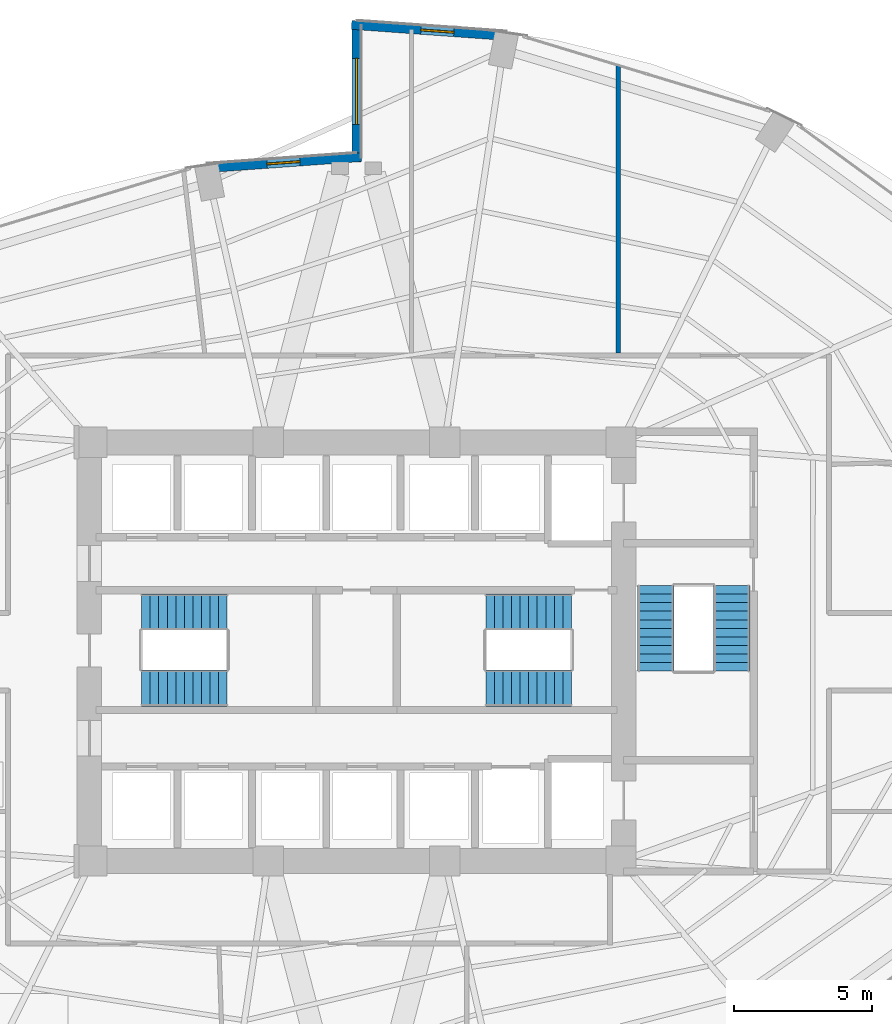
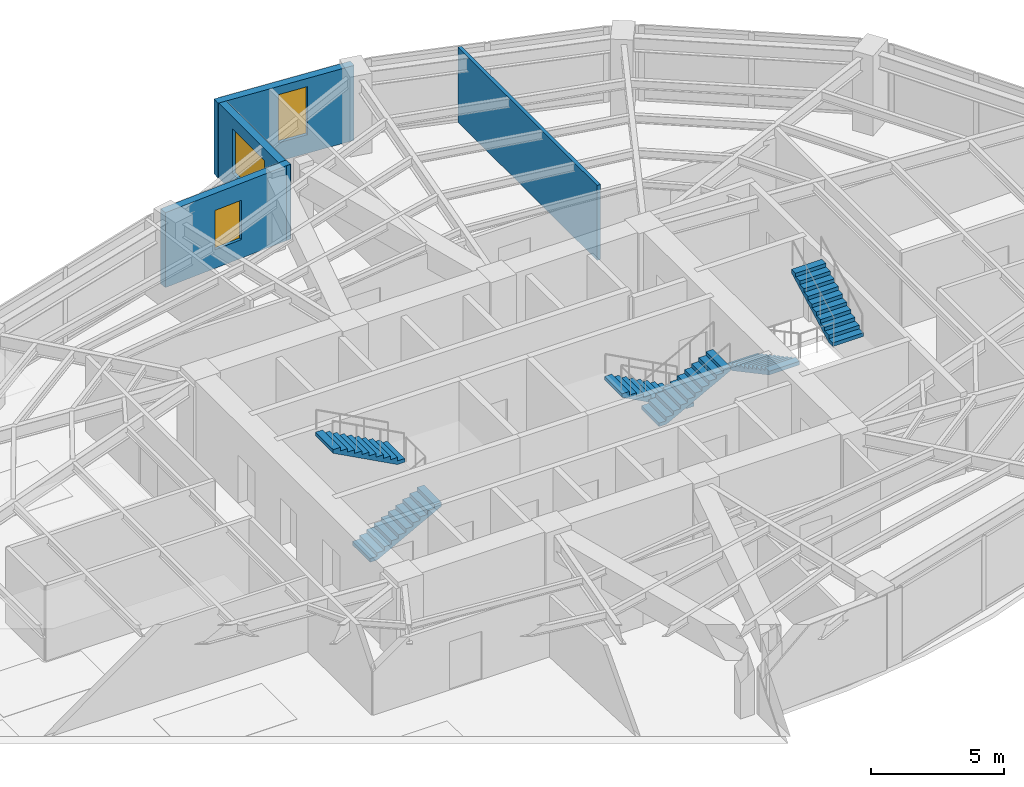
# One storey, part 22 of 24: 6 stair flights, 4 walls, 3 windows, 3 openings, 3 elements without a shape of their own.
"""IFC4 building model written with IfcOpenShell, lengths in metres."""

from ifc_helpers import new_model, si_unit, direction, frame, frame_2d, origin, place, context, subcontext, project, spatial, polyline, rectangle, outline, extrude, material, layer, layer_set, type_object, element, fill, aggregate, save


model = new_model("IFC4")

# Units and contexts
model_context = context("Model", 3, precision=1e-05, world=origin(), true_north=direction((0.0, 1.0)))
body_context = subcontext(model_context, "Body", "Model", "MODEL_VIEW")
ifc_project = project(units=[si_unit("LENGTHUNIT", "METRE"), si_unit("AREAUNIT", "SQUARE_METRE"), si_unit("VOLUMEUNIT", "CUBIC_METRE"), si_unit("PLANEANGLEUNIT", "RADIAN"), si_unit("MASSUNIT", "GRAM", prefix="KILO")], contexts=[model_context])

# Site, building, storey
site_placement = place(None, origin())
site = spatial("IfcSite", under=ifc_project, at=site_placement, CompositionType="ELEMENT")
building_placement = place(site_placement, origin())
building = spatial("IfcBuilding", under=site, at=building_placement, Name="Lazwardi Medical Tower", CompositionType="ELEMENT")
storey_placement = place(building_placement, frame((0.0, 0.0, 68.97607421875)))
storey = spatial("IfcBuildingStorey", under=building, at=storey_placement, Name="L17", CompositionType="ELEMENT", Elevation=68.97607421875)

# Wall, opening, window
ifc_material_1 = material(Name="Precast concrete C45/55", Category="concrete")
ifc_layer_1 = layer(ifc_material_1, 0.320068359375)
ifc_layer_set_1 = layer_set([ifc_layer_1], Name="Precast concrete C45/55")
wall_type_1 = type_object("IfcWallType", Name="WL-IWAN-320", PredefinedType="SOLIDWALL", material=ifc_layer_set_1)
wall_1_placement = place(storey_placement, frame((41.481201171875, 50.345703125, 0.0), z_axis=(0.0, 0.0, 1.0), x_axis=(-0.997422321809, 0.071754525696, 0.0)))
wall_1 = element("IfcWall", 1, at=wall_1_placement, inside=storey, type_object=wall_type_1, Name="L17 Iwan Portal Return Wall NE_ret", PredefinedType="SOLIDWALL", context=body_context, shape_type="SweptSolid", body=[
    extrude(rectangle(XDim=5.67529296875, YDim=0.320068359375, at=frame_2d((2.837646484375, 0.0))), origin(), (0.0, 0.0, 1.0), 3.427978515625),
])
opening_1_placement = place(wall_1_placement, frame((1.94921875, 0.0, 0.85009765625)))
opening_1 = element("IfcOpeningElement", 2, at=opening_1_placement, cuts=wall_1, Name="Opening WN-01", PredefinedType="OPENING", context=body_context, shape_type="SweptSolid", body=[
    extrude(rectangle(XDim=1.199951171875, YDim=2.199951171875, at=frame_2d((0.60009765625, 1.10009765625))), frame((0.0, 0.169921875, 0.0), z_axis=(0.0, -1.0, 0.0), x_axis=(1.0, 0.0, 0.0)), (0.0, 0.0, 1.0), 0.340087890625),
])
ifc_material_2 = material(Name="Low-e bronze solar control double glazing", Category="glass")
window_type_1 = type_object("IfcWindowType", Name="WIN-IW-1200", PartitioningType="SINGLE_PANEL", PredefinedType="WINDOW", material=ifc_material_2)
window_1_placement = place(opening_1_placement, origin())
window_1 = element("IfcWindow", 3, at=window_1_placement, inside=storey, type_object=window_type_1, Name="L17 Iwan Slot Window NE_ret", OverallHeight=2.199951171875, OverallWidth=1.199951171875, PartitioningType="SINGLE_PANEL", PredefinedType="WINDOW", context=body_context, shape_type="SweptSolid", body=[
    extrude(rectangle(XDim=1.199951171875, YDim=2.199951171875, at=frame_2d((0.60009765625, 1.10009765625))), frame((0.0, 0.030029296875, 0.0), z_axis=(0.0, -1.0, 0.0), x_axis=(1.0, 0.0, 0.0)), (0.0, 0.0, 1.0), 0.06005859375),
])
fill(opening_1, window_1)

wall_2_placement = place(storey_placement, frame((36.178955078125, 45.952880859375, 0.0), z_axis=(0.0, 0.0, 1.0), x_axis=(-0.997421878774, -0.071760683825, 0.0)))
wall_2 = element("IfcWall", 4, at=wall_2_placement, inside=storey, type_object=wall_type_1, Name="L17 Iwan Portal Return Wall NW_ret", PredefinedType="SOLIDWALL", context=body_context, shape_type="SweptSolid", body=[
    extrude(rectangle(XDim=5.6748046875, YDim=0.320068359375, at=frame_2d((2.83740234375, 0.0))), origin(), (0.0, 0.0, 1.0), 3.427978515625),
])
opening_2_placement = place(wall_2_placement, frame((2.2373046875, 0.0, 0.85009765625)))
opening_2 = element("IfcOpeningElement", 5, at=opening_2_placement, cuts=wall_2, Name="Opening WN-04", PredefinedType="OPENING", context=body_context, shape_type="SweptSolid", body=[
    extrude(rectangle(XDim=1.199951171875, YDim=1.800048828125, at=frame_2d((0.60009765625, 0.89990234375))), frame((0.0, 0.169921875, 0.0), z_axis=(0.0, -1.0, 0.0), x_axis=(1.0, 0.0, 0.0)), (0.0, 0.0, 1.0), 0.340087890625),
])
window_type_2 = type_object("IfcWindowType", Name="WIN-DRUM-1200", PartitioningType="SINGLE_PANEL", PredefinedType="WINDOW", material=ifc_material_2)
window_2_placement = place(opening_2_placement, origin())
window_2 = element("IfcWindow", 6, at=window_2_placement, inside=storey, type_object=window_type_2, Name="L17 Iwan Slot Window NW_ret", OverallHeight=1.800048828125, OverallWidth=1.199951171875, PartitioningType="SINGLE_PANEL", PredefinedType="WINDOW", context=body_context, shape_type="SweptSolid", body=[
    extrude(rectangle(XDim=1.199951171875, YDim=1.800048828125, at=frame_2d((0.60009765625, 0.89990234375))), frame((0.0, 0.030029296875, 0.0), z_axis=(0.0, -1.0, 0.0), x_axis=(1.0, 0.0, 0.0)), (0.0, 0.0, 1.0), 0.06005859375),
])
fill(opening_2, window_2)

wall_3_placement = place(storey_placement, frame((36.0, 50.89990234375, 0.0), z_axis=(0.0, 0.0, 1.0), x_axis=(0.0, -1.0, 0.0)))
wall_3 = element("IfcWall", 7, at=wall_3_placement, inside=storey, type_object=wall_type_1, Name="L17 Turquoise Tilework Iwan Seam Wall N_seam", PredefinedType="SOLIDWALL", context=body_context, shape_type="SweptSolid", body=[
    extrude(rectangle(XDim=5.119873046875, YDim=0.320068359375, at=frame_2d((2.56005859375, 0.0))), origin(), (0.0, 0.0, 1.0), 3.427978515625),
])
opening_3_placement = place(wall_3_placement, frame((1.360107421875, 0.0, 0.840087890625)))
opening_3 = element("IfcOpeningElement", 8, at=opening_3_placement, cuts=wall_3, Name="Opening WN-02", PredefinedType="OPENING", context=body_context, shape_type="SweptSolid", body=[
    extrude(rectangle(XDim=2.39990234375, YDim=2.0400390625, at=frame_2d((1.199951171875, 1.02001953125))), frame((0.0, 0.169921875, 0.0), z_axis=(0.0, -1.0, 0.0), x_axis=(1.0, 0.0, 0.0)), (0.0, 0.0, 1.0), 0.340087890625),
])
window_type_3 = type_object("IfcWindowType", Name="WIN-IW-2400", PartitioningType="SINGLE_PANEL", PredefinedType="WINDOW", material=ifc_material_2)
window_3_placement = place(opening_3_placement, origin())
window_3 = element("IfcWindow", 9, at=window_3_placement, inside=storey, type_object=window_type_3, Name="L17 Iwan Seam Window N_seam", OverallHeight=2.0400390625, OverallWidth=2.39990234375, PartitioningType="SINGLE_PANEL", PredefinedType="WINDOW", context=body_context, shape_type="SweptSolid", body=[
    extrude(rectangle(XDim=2.39990234375, YDim=2.0400390625, at=frame_2d((1.199951171875, 1.02001953125))), frame((0.0, 0.030029296875, 0.0), z_axis=(0.0, -1.0, 0.0), x_axis=(1.0, 0.0, 0.0)), (0.0, 0.0, 1.0), 0.06005859375),
])
fill(opening_3, window_3)

# Wall
ifc_material_3 = material(Name="Acoustic gypsum board partition")
ifc_layer_2 = layer(ifc_material_3, 0.14990234375)
ifc_layer_set_2 = layer_set([ifc_layer_2], Name="Acoustic gypsum board partition")
wall_type_2 = type_object("IfcWallType", Name="WL-WRD-150", PredefinedType="PARTITIONING", material=ifc_layer_set_2)
wall_4_placement = place(storey_placement, frame((45.5, 38.840087890625, 0.0), z_axis=(0.0, 0.0, 1.0), x_axis=(0.0, 1.0, 0.0)))
element("IfcWall", 10, at=wall_4_placement, inside=storey, type_object=wall_type_2, Name="L17 Room partition 6", PredefinedType="PARTITIONING", context=body_context, shape_type="SweptSolid", body=[
    extrude(rectangle(XDim=10.43603515625, YDim=0.14990234375, at=frame_2d((5.218017578125, 0.0))), origin(), (0.0, 0.0, 1.0), 3.427978515625),
])

# Stair, stair flights
ifc_material_4 = material(Name="Concrete C45/55", Category="concrete")
stair_type = type_object("IfcStairType", Name="STR-WRD", PredefinedType="HALF_TURN_STAIR", material=ifc_material_4)
stair_1_placement = place(storey_placement, origin())
stair_1 = element("IfcStair", 11, at=stair_1_placement, inside=storey, type_object=stair_type, Name="L17 Protected Exit Stair ST1", PredefinedType="HALF_TURN_STAIR")
stair_flight_type = type_object("IfcStairFlightType", Name="FLT-WRD", PredefinedType="STRAIGHT", material=ifc_material_4)
stair_flight_1_placement = place(storey_placement, frame((28.199951171875, 26.679931640625, 0.0), z_axis=(0.0, 0.0, 1.0), x_axis=(1.0, 0.0, 0.0)))
stair_flight_1 = element("IfcStairFlight", 12, at=stair_flight_1_placement, type_object=stair_flight_type, Name="ST1 flight 1", NumberOfRisers=11, NumberOfTreads=10, PredefinedType="STRAIGHT", RiserHeight=0.165818182, TreadLength=0.31, context=body_context, shape_type="SweptSolid", body=[
    extrude(outline(polyline([(0.0, 0.0), (0.0, 0.165771484375), (0.31005859375, 0.165771484375), (0.31005859375, 0.33154296875), (0.6201171875, 0.33154296875), (0.6201171875, 0.49755859375), (0.929931640625, 0.49755859375), (0.929931640625, 0.663330078125), (1.239990234375, 0.663330078125), (1.239990234375, 0.8291015625), (1.550048828125, 0.8291015625), (1.550048828125, 0.994873046875), (1.860107421875, 0.994873046875), (1.860107421875, 1.16064453125), (2.169921875, 1.16064453125), (2.169921875, 1.32666015625), (2.47998046875, 1.32666015625), (2.47998046875, 1.492431640625), (2.7900390625, 1.492431640625), (2.7900390625, 1.658203125), (3.10009765625, 1.658203125), (3.10009765625, 1.823974609375), (3.10009765625, 1.48828125), (0.31787109375, 0.0), (0.0, 0.0)])), frame((0.0, 0.66015625, 0.0), z_axis=(0.0, -1.0, 0.0), x_axis=(1.0, 0.0, 0.0)), (0.0, 0.0, 1.0), 1.320068359375),
])
stair_flight_2_placement = place(storey_placement, frame((31.300048828125, 29.43994140625, 1.823974609375), z_axis=(0.0, 0.0, 1.0), x_axis=(-1.0, 0.0, 0.0)))
stair_flight_2 = element("IfcStairFlight", 13, at=stair_flight_2_placement, type_object=stair_flight_type, Name="ST1 flight 2", NumberOfRisers=11, NumberOfTreads=10, PredefinedType="STRAIGHT", RiserHeight=0.165818182, TreadLength=0.31, context=body_context, shape_type="SweptSolid", body=[
    extrude(outline(polyline([(0.0, 0.0), (0.0, 0.165771484375), (0.31005859375, 0.165771484375), (0.31005859375, 0.33154296875), (0.6201171875, 0.33154296875), (0.6201171875, 0.49755859375), (0.929931640625, 0.49755859375), (0.929931640625, 0.663330078125), (1.239990234375, 0.663330078125), (1.239990234375, 0.8291015625), (1.550048828125, 0.8291015625), (1.550048828125, 0.994873046875), (1.860107421875, 0.994873046875), (1.860107421875, 1.16064453125), (2.169921875, 1.16064453125), (2.169921875, 1.32666015625), (2.47998046875, 1.32666015625), (2.47998046875, 1.492431640625), (2.7900390625, 1.492431640625), (2.7900390625, 1.658203125), (3.10009765625, 1.658203125), (3.10009765625, 1.823974609375), (3.10009765625, 1.48828125), (0.31787109375, 0.0), (0.0, 0.0)])), frame((0.0, 0.66015625, 0.0), z_axis=(0.0, -1.0, 0.0), x_axis=(1.0, 0.0, 0.0)), (0.0, 0.0, 1.0), 1.320068359375),
])
aggregate(stair_1, [stair_flight_1, stair_flight_2])

stair_2_placement = place(storey_placement, origin())
stair_2 = element("IfcStair", 14, at=stair_2_placement, inside=storey, type_object=stair_type, Name="L17 Protected Exit Stair ST2", PredefinedType="HALF_TURN_STAIR")
stair_flight_3_placement = place(storey_placement, frame((43.800048828125, 29.43994140625, 0.0), z_axis=(0.0, 0.0, 1.0), x_axis=(-1.0, 0.0, 0.0)))
stair_flight_3 = element("IfcStairFlight", 15, at=stair_flight_3_placement, type_object=stair_flight_type, Name="ST2 flight 1", NumberOfRisers=11, NumberOfTreads=10, PredefinedType="STRAIGHT", RiserHeight=0.165818182, TreadLength=0.31, context=body_context, shape_type="SweptSolid", body=[
    extrude(outline(polyline([(0.0, 0.0), (0.0, 0.165771484375), (0.31005859375, 0.165771484375), (0.31005859375, 0.33154296875), (0.6201171875, 0.33154296875), (0.6201171875, 0.49755859375), (0.929931640625, 0.49755859375), (0.929931640625, 0.663330078125), (1.239990234375, 0.663330078125), (1.239990234375, 0.8291015625), (1.550048828125, 0.8291015625), (1.550048828125, 0.994873046875), (1.860107421875, 0.994873046875), (1.860107421875, 1.16064453125), (2.169921875, 1.16064453125), (2.169921875, 1.32666015625), (2.47998046875, 1.32666015625), (2.47998046875, 1.492431640625), (2.7900390625, 1.492431640625), (2.7900390625, 1.658203125), (3.10009765625, 1.658203125), (3.10009765625, 1.823974609375), (3.10009765625, 1.48828125), (0.31787109375, 0.0), (0.0, 0.0)])), frame((0.0, 0.66015625, 0.0), z_axis=(0.0, -1.0, 0.0), x_axis=(1.0, 0.0, 0.0)), (0.0, 0.0, 1.0), 1.320068359375),
])
stair_flight_4_placement = place(storey_placement, frame((40.699951171875, 26.679931640625, 1.823974609375), z_axis=(0.0, 0.0, 1.0), x_axis=(1.0, 0.0, 0.0)))
stair_flight_4 = element("IfcStairFlight", 16, at=stair_flight_4_placement, type_object=stair_flight_type, Name="ST2 flight 2", NumberOfRisers=11, NumberOfTreads=10, PredefinedType="STRAIGHT", RiserHeight=0.165818182, TreadLength=0.31, context=body_context, shape_type="SweptSolid", body=[
    extrude(outline(polyline([(0.0, 0.0), (0.0, 0.165771484375), (0.31005859375, 0.165771484375), (0.31005859375, 0.33154296875), (0.6201171875, 0.33154296875), (0.6201171875, 0.49755859375), (0.929931640625, 0.49755859375), (0.929931640625, 0.663330078125), (1.239990234375, 0.663330078125), (1.239990234375, 0.8291015625), (1.550048828125, 0.8291015625), (1.550048828125, 0.994873046875), (1.860107421875, 0.994873046875), (1.860107421875, 1.16064453125), (2.169921875, 1.16064453125), (2.169921875, 1.32666015625), (2.47998046875, 1.32666015625), (2.47998046875, 1.492431640625), (2.7900390625, 1.492431640625), (2.7900390625, 1.658203125), (3.10009765625, 1.658203125), (3.10009765625, 1.823974609375), (3.10009765625, 1.48828125), (0.31787109375, 0.0), (0.0, 0.0)])), frame((0.0, 0.66015625, 0.0), z_axis=(0.0, -1.0, 0.0), x_axis=(1.0, 0.0, 0.0)), (0.0, 0.0, 1.0), 1.320068359375),
])
aggregate(stair_2, [stair_flight_3, stair_flight_4])

stair_3_placement = place(storey_placement, origin())
stair_3 = element("IfcStair", 17, at=stair_3_placement, inside=storey, type_object=stair_type, Name="L17 Protected Exit Stair ST3", PredefinedType="HALF_TURN_STAIR")
stair_flight_5_placement = place(storey_placement, frame((46.860107421875, 30.39990234375, 0.0), z_axis=(0.0, 0.0, 1.0), x_axis=(0.0, -1.0, 0.0)))
stair_flight_5 = element("IfcStairFlight", 18, at=stair_flight_5_placement, type_object=stair_flight_type, Name="ST3 flight 1", NumberOfRisers=11, NumberOfTreads=10, PredefinedType="STRAIGHT", RiserHeight=0.165818182, TreadLength=0.31, context=body_context, shape_type="SweptSolid", body=[
    extrude(outline(polyline([(0.0, 0.0), (0.0, 0.165771484375), (0.31005859375, 0.165771484375), (0.31005859375, 0.33154296875), (0.6201171875, 0.33154296875), (0.6201171875, 0.49755859375), (0.929931640625, 0.49755859375), (0.929931640625, 0.663330078125), (1.239990234375, 0.663330078125), (1.239990234375, 0.8291015625), (1.550048828125, 0.8291015625), (1.550048828125, 0.994873046875), (1.860107421875, 0.994873046875), (1.860107421875, 1.16064453125), (2.169921875, 1.16064453125), (2.169921875, 1.32666015625), (2.47998046875, 1.32666015625), (2.47998046875, 1.492431640625), (2.7900390625, 1.492431640625), (2.7900390625, 1.658203125), (3.10009765625, 1.658203125), (3.10009765625, 1.823974609375), (3.10009765625, 1.48828125), (0.31787109375, 0.0), (0.0, 0.0)])), frame((0.0, 0.66015625, 0.0), z_axis=(0.0, -1.0, 0.0), x_axis=(1.0, 0.0, 0.0)), (0.0, 0.0, 1.0), 1.320068359375),
])
stair_flight_6_placement = place(storey_placement, frame((49.6201171875, 27.300048828125, 1.823974609375), z_axis=(0.0, 0.0, 1.0), x_axis=(0.0, 1.0, 0.0)))
stair_flight_6 = element("IfcStairFlight", 19, at=stair_flight_6_placement, type_object=stair_flight_type, Name="ST3 flight 2", NumberOfRisers=11, NumberOfTreads=10, PredefinedType="STRAIGHT", RiserHeight=0.165818182, TreadLength=0.31, context=body_context, shape_type="SweptSolid", body=[
    extrude(outline(polyline([(0.0, 0.0), (0.0, 0.165771484375), (0.31005859375, 0.165771484375), (0.31005859375, 0.33154296875), (0.6201171875, 0.33154296875), (0.6201171875, 0.49755859375), (0.929931640625, 0.49755859375), (0.929931640625, 0.663330078125), (1.239990234375, 0.663330078125), (1.239990234375, 0.8291015625), (1.550048828125, 0.8291015625), (1.550048828125, 0.994873046875), (1.860107421875, 0.994873046875), (1.860107421875, 1.16064453125), (2.169921875, 1.16064453125), (2.169921875, 1.32666015625), (2.47998046875, 1.32666015625), (2.47998046875, 1.492431640625), (2.7900390625, 1.492431640625), (2.7900390625, 1.658203125), (3.10009765625, 1.658203125), (3.10009765625, 1.823974609375), (3.10009765625, 1.48828125), (0.31787109375, 0.0), (0.0, 0.0)])), frame((0.0, 0.66015625, 0.0), z_axis=(0.0, -1.0, 0.0), x_axis=(1.0, 0.0, 0.0)), (0.0, 0.0, 1.0), 1.320068359375),
])
aggregate(stair_3, [stair_flight_5, stair_flight_6])

save(model, "model.ifc")
